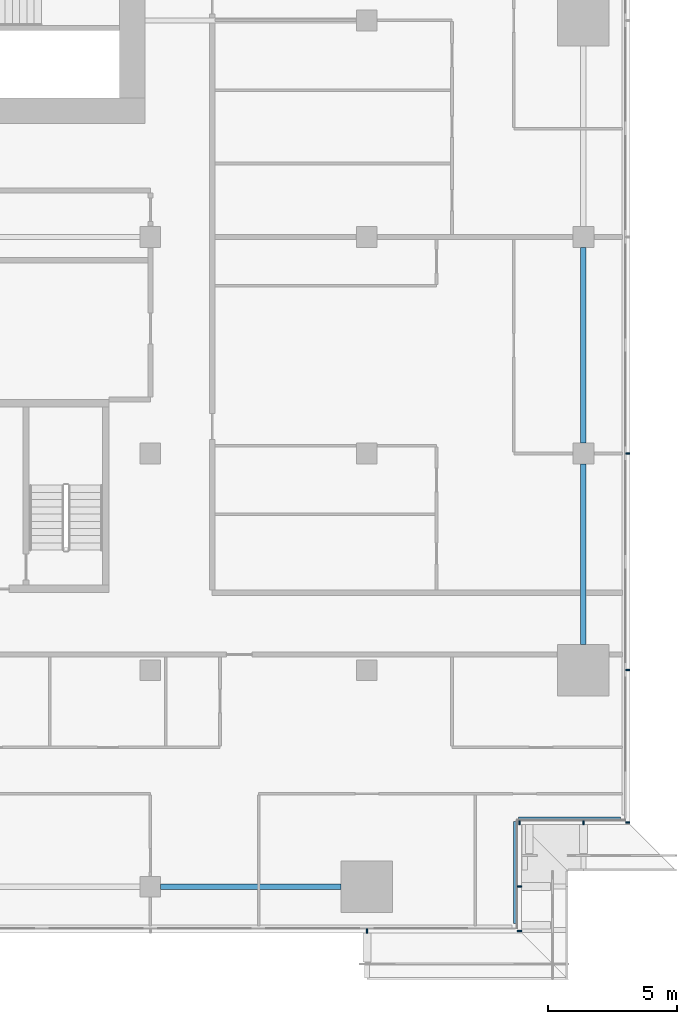
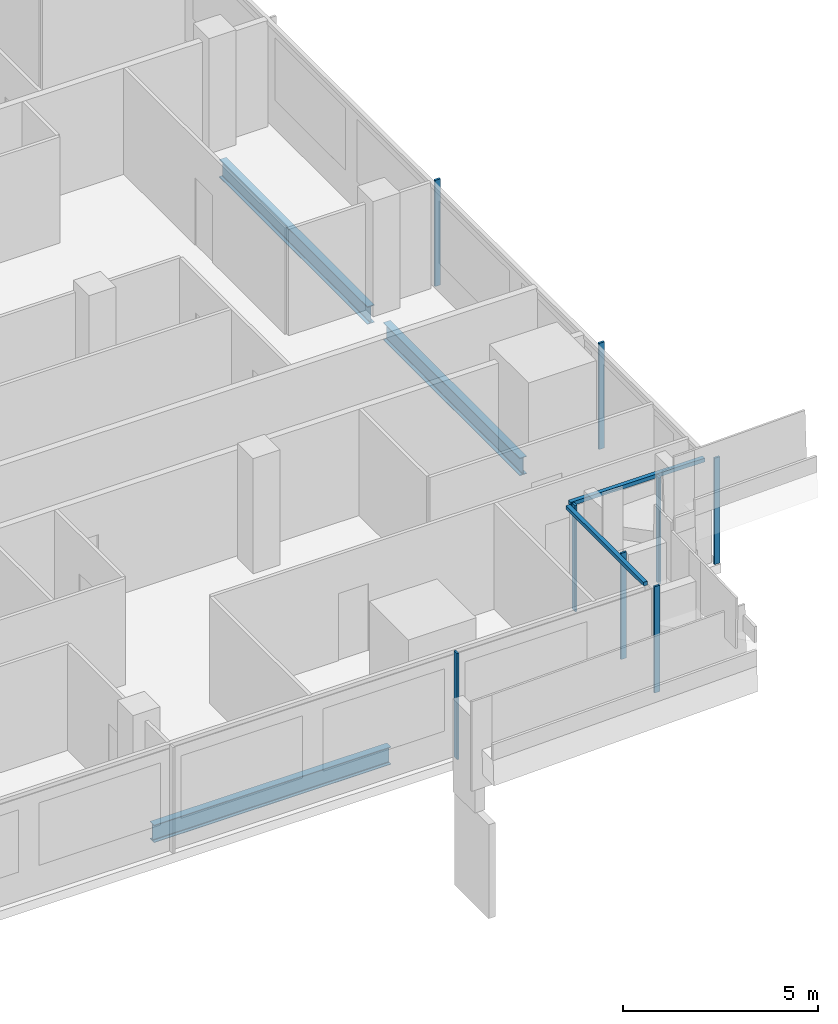
# One storey, part 13 of 30: 10 members, 3 beams, 4 elements without a shape of their own.
"""IFC4 building model written with IfcOpenShell, lengths in metres."""

from ifc_helpers import new_model, si_unit, direction, frame, origin, origin_2d, place, context, subcontext, project, spatial, rectangle, i_section, extrude, material, material_profile, profile_set, type_object, element, aggregate, save


model = new_model("IFC4")

# Units and contexts
model_context = context("Model", 3, precision=1e-05, world=origin(), true_north=direction((0.0, 1.0)))
body_context = subcontext(model_context, "Body", "Model", "MODEL_VIEW")
ifc_project = project(units=[si_unit("LENGTHUNIT", "METRE"), si_unit("AREAUNIT", "SQUARE_METRE"), si_unit("VOLUMEUNIT", "CUBIC_METRE"), si_unit("PLANEANGLEUNIT", "RADIAN"), si_unit("MASSUNIT", "GRAM", prefix="KILO")], contexts=[model_context])

# Site, building, storey
site_placement = place(None, origin())
site = spatial("IfcSite", under=ifc_project, at=site_placement, CompositionType="ELEMENT")
building_placement = place(site_placement, origin())
building = spatial("IfcBuilding", under=site, at=building_placement, Name="Saffron Gate Tower", CompositionType="ELEMENT")
storey_placement = place(building_placement, frame((0.0, 0.0, 127.64990234375)))
storey = spatial("IfcBuildingStorey", under=building, at=storey_placement, Name="L30", CompositionType="ELEMENT", Elevation=127.64990234375)

# Beams
ifc_material_1 = material(Name="Structural steel S355", Category="steel")
ifc_material_profile_1 = material_profile(ifc_material_1, i_section(OverallWidth=0.2099609375, OverallDepth=0.550048828125, WebThickness=0.010986328125, FlangeThickness=0.01708984375, FilletRadius=0.02392578125, at=origin_2d()))
ifc_profile_set_1 = profile_set([ifc_material_profile_1], Name="Structural steel S355")
beam_type = type_object("IfcBeamType", Name="B13 IPE 550", PredefinedType="SPANDREL", material=ifc_profile_set_1)
for number, where, z_axis, x_axis, name in (
    (1, (109.0, 31.800048828125, -0.554931640625), (1.0, 0.0, 0.0), (0.0, 1.0, 0.0), "B13 SPANDREL BEAM"),
    (2, (125.39990234375, 41.199951171875, -0.554931640625), (0.0, 1.0, 0.0), (-1.0, 0.0, 0.0), "B13 SPANDREL BEAM"),
):
    element("IfcBeam", number, at=place(storey_placement, frame(where, z_axis=z_axis, x_axis=x_axis)), inside=storey, type_object=beam_type, Name=name, PredefinedType="SPANDREL", context=body_context, shape_type="SweptSolid", body=[
        extrude(i_section(OverallWidth=0.2099609375, OverallDepth=0.550048828125, WebThickness=0.010986328125, FlangeThickness=0.01708984375, FilletRadius=0.02392578125, at=origin_2d()), origin(), (0.0, 0.0, 1.0), 7.0),
    ])
beam_placement = place(storey_placement, frame((125.39990234375, 49.0, -0.554931640625), z_axis=(0.0, 1.0, 0.0), x_axis=(-1.0, 0.0, 0.0)))
element("IfcBeam", 3, at=beam_placement, inside=storey, type_object=beam_type, Name="B13 SPANDREL BEAM", PredefinedType="SPANDREL", context=body_context, shape_type="SweptSolid", body=[
    extrude(i_section(OverallWidth=0.2099609375, OverallDepth=0.550048828125, WebThickness=0.010986328125, FlangeThickness=0.01708984375, FilletRadius=0.02392578125, at=origin_2d()), origin(), (0.0, 0.0, 1.0), 7.60009765625),
])

# Curtain wall, member
ifc_material_2 = material(Name="Aluminium, bronze anodised", Category="aluminium")
curtain_wall_type_1 = type_object("IfcCurtainWallType", Name="CWS1 curtain wall front facade", PredefinedType="NOTDEFINED", material=ifc_material_2)
curtain_wall_1_placement = place(storey_placement, origin())
curtain_wall_1 = element("IfcCurtainWall", 4, at=curtain_wall_1_placement, inside=storey, type_object=curtain_wall_type_1, Name="CWS1 run 1", PredefinedType="NOTDEFINED")
ifc_material_profile_2 = material_profile(ifc_material_2, rectangle(XDim=0.159912109375, YDim=0.06005859375, at=origin_2d()))
ifc_profile_set_2 = profile_set([ifc_material_profile_2], Name="Aluminium, bronze anodised")
member_type_1 = type_object("IfcMemberType", Name="CWS1 mullion 60x160", PredefinedType="MULLION", material=ifc_profile_set_2)
member_1_placement = place(storey_placement, frame((117.0, 30.080078125, 0.0), z_axis=(0.0, 0.0, 1.0), x_axis=(0.0, 1.0, 0.0)))
member_1 = element("IfcMember", 5, at=member_1_placement, type_object=member_type_1, Name="CWS1 mullion 9", PredefinedType="MULLION", context=body_context, shape_type="SweptSolid", body=[
    extrude(rectangle(XDim=0.159912109375, YDim=0.06005859375, at=origin_2d()), origin(), (0.0, 0.0, 1.0), 3.320068359375),
])
aggregate(curtain_wall_1, [member_1])

# Curtain wall, members
curtain_wall_type_2 = type_object("IfcCurtainWallType", Name="CWS2 curtain wall side facades", PredefinedType="NOTDEFINED", material=ifc_material_2)
curtain_wall_2_placement = place(storey_placement, origin())
curtain_wall_2 = element("IfcCurtainWall", 6, at=curtain_wall_2_placement, inside=storey, type_object=curtain_wall_type_2, Name="CWS2 run 4", PredefinedType="NOTDEFINED")
ifc_material_profile_3 = material_profile(ifc_material_2, rectangle(XDim=0.159912109375, YDim=0.06005859375, at=origin_2d()))
ifc_profile_set_3 = profile_set([ifc_material_profile_3], Name="Aluminium, bronze anodised")
member_type_2 = type_object("IfcMemberType", Name="CWS2 mullion 60x160", PredefinedType="MULLION", material=ifc_profile_set_3)
member_2_placement = place(storey_placement, frame((127.1201171875, 34.280029296875, 0.0), z_axis=(0.0, 0.0, 1.0), x_axis=(-1.0, 0.0, 0.0)))
member_2 = element("IfcMember", 7, at=member_2_placement, type_object=member_type_2, Name="CWS2 mullion 1", PredefinedType="MULLION", context=body_context, shape_type="SweptSolid", body=[
    extrude(rectangle(XDim=0.159912109375, YDim=0.06005859375, at=origin_2d()), origin(), (0.0, 0.0, 1.0), 3.320068359375),
])
member_3_placement = place(storey_placement, frame((127.1201171875, 40.199951171875, 0.0), z_axis=(0.0, 0.0, 1.0), x_axis=(-1.0, 0.0, 0.0)))
member_3 = element("IfcMember", 8, at=member_3_placement, type_object=member_type_2, Name="CWS2 mullion 2", PredefinedType="MULLION", context=body_context, shape_type="SweptSolid", body=[
    extrude(rectangle(XDim=0.159912109375, YDim=0.06005859375, at=origin_2d()), origin(), (0.0, 0.0, 1.0), 3.320068359375),
])
member_4_placement = place(storey_placement, frame((127.1201171875, 48.60009765625, 0.0), z_axis=(0.0, 0.0, 1.0), x_axis=(-1.0, 0.0, 0.0)))
member_4 = element("IfcMember", 9, at=member_4_placement, type_object=member_type_2, Name="CWS2 mullion 3", PredefinedType="MULLION", context=body_context, shape_type="SweptSolid", body=[
    extrude(rectangle(XDim=0.159912109375, YDim=0.06005859375, at=origin_2d()), origin(), (0.0, 0.0, 1.0), 3.320068359375),
])
aggregate(curtain_wall_2, [member_2, member_3, member_4])

# Curtain wall, member
curtain_wall_type_3 = type_object("IfcCurtainWallType", Name="CWS4 curtain wall corner returns", PredefinedType="NOTDEFINED", material=ifc_material_2)
curtain_wall_3_placement = place(storey_placement, origin())
curtain_wall_3 = element("IfcCurtainWall", 10, at=curtain_wall_3_placement, inside=storey, type_object=curtain_wall_type_3, Name="CWS4 run 2", PredefinedType="NOTDEFINED")
ifc_material_profile_4 = material_profile(ifc_material_2, rectangle(XDim=0.1201171875, YDim=0.1201171875, at=origin_2d()))
ifc_profile_set_4 = profile_set([ifc_material_profile_4], Name="Aluminium, bronze anodised")
member_type_3 = type_object("IfcMemberType", Name="CWS4 head transom", PredefinedType="USERDEFINED", material=ifc_profile_set_4)
member_5_placement = place(storey_placement, frame((122.751953125, 30.367919921875, 3.260009765625), z_axis=(0.0, 1.0, 0.0), x_axis=(-1.0, 0.0, 0.0)))
member_5 = element("IfcMember", 11, at=member_5_placement, type_object=member_type_3, Name="CWS4 head transom", ObjectType="TRANSOM", PredefinedType="USERDEFINED", context=body_context, shape_type="SweptSolid", body=[
    extrude(rectangle(XDim=0.1201171875, YDim=0.1201171875, at=origin_2d()), origin(), (0.0, 0.0, 1.0), 3.9599609375),
])

curtain_wall_4_placement = place(storey_placement, origin())
curtain_wall_4 = element("IfcCurtainWall", 12, at=curtain_wall_4_placement, inside=storey, type_object=curtain_wall_type_3, Name="CWS4 run 3", PredefinedType="NOTDEFINED")
member_6_placement = place(storey_placement, frame((122.8720703125, 34.447998046875, 3.260009765625), z_axis=(1.0, 0.0, 0.0), x_axis=(0.0, 1.0, 0.0)))
member_6 = element("IfcMember", 13, at=member_6_placement, type_object=member_type_3, Name="CWS4 head transom", ObjectType="TRANSOM", PredefinedType="USERDEFINED", context=body_context, shape_type="SweptSolid", body=[
    extrude(rectangle(XDim=0.1201171875, YDim=0.1201171875, at=origin_2d()), origin(), (0.0, 0.0, 1.0), 3.9599609375),
])

# Member
ifc_material_profile_5 = material_profile(ifc_material_2, rectangle(XDim=0.159912109375, YDim=0.06005859375, at=origin_2d()))
ifc_profile_set_5 = profile_set([ifc_material_profile_5], Name="Aluminium, bronze anodised")
member_type_4 = type_object("IfcMemberType", Name="CWS4 mullion 60x160", PredefinedType="MULLION", material=ifc_profile_set_5)
member_7_placement = place(storey_placement, frame((122.919921875, 30.080078125, 0.0), z_axis=(0.0, 0.0, 1.0), x_axis=(-1.0, 0.0, 0.0)))
member_7 = element("IfcMember", 14, at=member_7_placement, type_object=member_type_4, Name="CWS4 mullion 1", PredefinedType="MULLION", context=body_context, shape_type="SweptSolid", body=[
    extrude(rectangle(XDim=0.159912109375, YDim=0.06005859375, at=origin_2d()), origin(), (0.0, 0.0, 1.0), 3.320068359375),
])

member_8_placement = place(storey_placement, frame((122.919921875, 31.800048828125, 0.0), z_axis=(0.0, 0.0, 1.0), x_axis=(-1.0, 0.0, 0.0)))
member_8 = element("IfcMember", 15, at=member_8_placement, type_object=member_type_4, Name="CWS4 mullion 2", PredefinedType="MULLION", context=body_context, shape_type="SweptSolid", body=[
    extrude(rectangle(XDim=0.159912109375, YDim=0.06005859375, at=origin_2d()), origin(), (0.0, 0.0, 1.0), 3.320068359375),
])

aggregate(curtain_wall_3, [member_7, member_8, member_5])

member_9_placement = place(storey_placement, frame((122.919921875, 34.280029296875, 0.0), z_axis=(0.0, 0.0, 1.0), x_axis=(0.0, 1.0, 0.0)))
member_9 = element("IfcMember", 16, at=member_9_placement, type_object=member_type_4, Name="CWS4 mullion 1", PredefinedType="MULLION", context=body_context, shape_type="SweptSolid", body=[
    extrude(rectangle(XDim=0.159912109375, YDim=0.06005859375, at=origin_2d()), origin(), (0.0, 0.0, 1.0), 3.320068359375),
])

member_10_placement = place(storey_placement, frame((125.39990234375, 34.280029296875, 0.0), z_axis=(0.0, 0.0, 1.0), x_axis=(0.0, 1.0, 0.0)))
member_10 = element("IfcMember", 17, at=member_10_placement, type_object=member_type_4, Name="CWS4 mullion 2", PredefinedType="MULLION", context=body_context, shape_type="SweptSolid", body=[
    extrude(rectangle(XDim=0.159912109375, YDim=0.06005859375, at=origin_2d()), origin(), (0.0, 0.0, 1.0), 3.320068359375),
])

aggregate(curtain_wall_4, [member_9, member_10, member_6])

save(model, "model.ifc")
